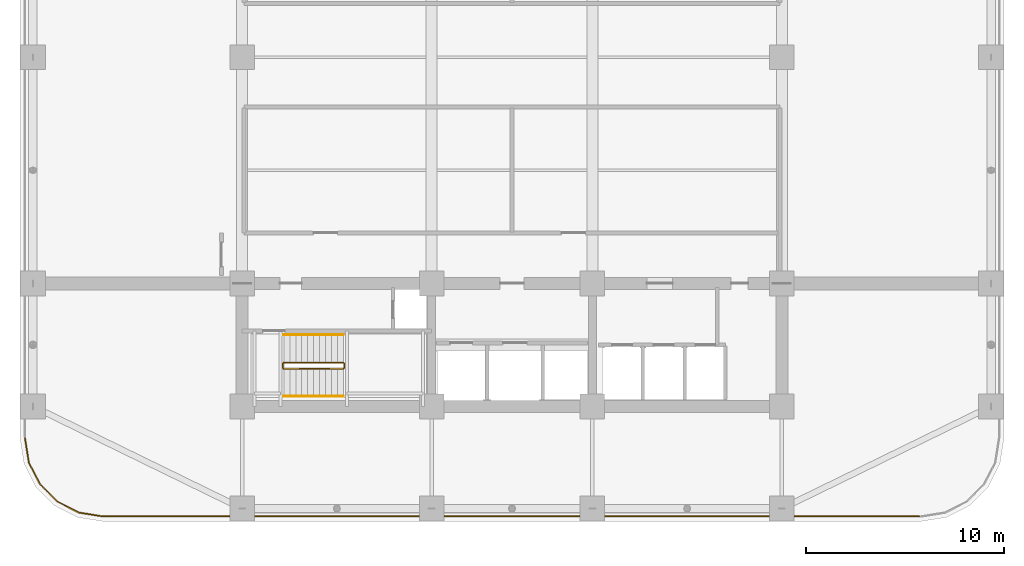
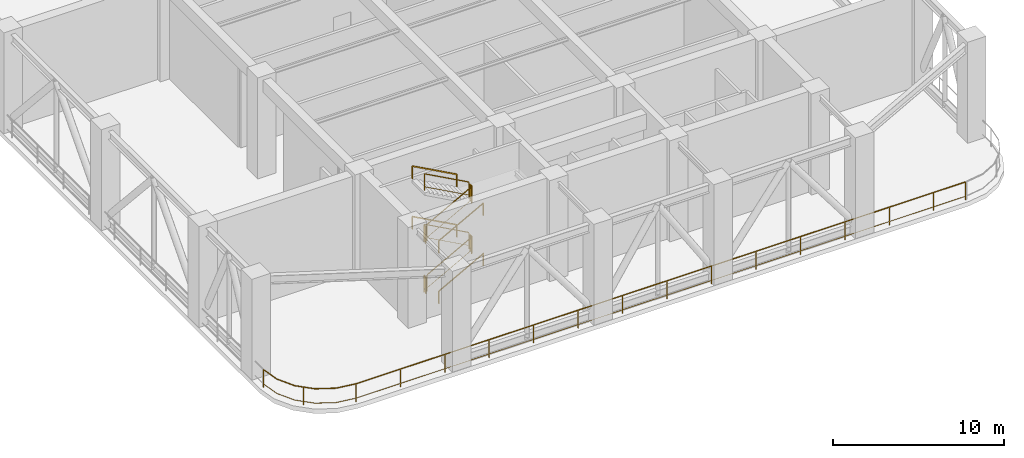
# One storey, part 18 of 20: 13 railings.
"""IFC4 building model written with IfcOpenShell, lengths in metres."""

from ifc_helpers import new_model, si_unit, direction, frame, origin, origin_2d, place, context, subcontext, project, spatial, rectangle, extrude, material, type_object, element, save


model = new_model("IFC4")

# Units and contexts
model_context = context("Model", 3, precision=1e-05, world=origin(), true_north=direction((0.0, 1.0)))
body_context = subcontext(model_context, "Body", "Model", "MODEL_VIEW")
ifc_project = project(units=[si_unit("LENGTHUNIT", "METRE"), si_unit("AREAUNIT", "SQUARE_METRE"), si_unit("VOLUMEUNIT", "CUBIC_METRE"), si_unit("PLANEANGLEUNIT", "RADIAN"), si_unit("MASSUNIT", "GRAM", prefix="KILO")], contexts=[model_context])

# Site, building, storey
site_placement = place(None, origin())
site = spatial("IfcSite", under=ifc_project, at=site_placement, CompositionType="ELEMENT")
building_placement = place(site_placement, origin())
building = spatial("IfcBuilding", under=site, at=building_placement, Name="Svetorya Sky Lyceum", CompositionType="ELEMENT")
storey_placement = place(building_placement, frame((0.0, 0.0, 76.89990234375)))
storey = spatial("IfcBuildingStorey", under=building, at=storey_placement, Name="L19", CompositionType="ELEMENT", Elevation=76.89990234375)

# Railings
ifc_material_1 = material(Name="Hot-dip galvanized wind-portal guard")
railing_type_1 = type_object("IfcRailingType", Name="RL-PRT-1300", PredefinedType="GUARDRAIL", material=ifc_material_1)
railing_1_placement = place(storey_placement, frame((14.64990234375, 9.0, 0.0)))
element("IfcRailing", 1, at=railing_1_placement, inside=storey, type_object=railing_type_1, Name="L19 Wind-Portal Deck Guard Quadrant 1", PredefinedType="GUARDRAIL", context=body_context, shape_type="SweptSolid", body=[
    extrude(rectangle(XDim=0.048095703125, YDim=0.048095703125, at=origin_2d()), frame((0.0, 0.0, 1.27587890625), z_axis=(0.156449457012, -0.987685965983, 0.0), x_axis=(0.987685965983, 0.156449457012, 0.0)), (0.0, 0.0, 1.0), 1.23583984375),
    extrude(rectangle(XDim=0.02392578125, YDim=0.02392578125, at=origin_2d()), frame((0.0, 0.0, 0.25), z_axis=(0.156449457012, -0.987685965983, 0.0), x_axis=(0.987685965983, 0.156449457012, 0.0)), (0.0, 0.0, 1.0), 1.23583984375),
    extrude(rectangle(XDim=0.048095703125, YDim=0.048095703125, at=origin_2d()), frame((0.193359375, -1.220703125, 1.27587890625), z_axis=(0.453996808381, -0.891003309747, 0.0), x_axis=(0.891003309747, 0.453996808381, 0.0)), (0.0, 0.0, 1.0), 1.23583984375),
    extrude(rectangle(XDim=0.02392578125, YDim=0.02392578125, at=origin_2d()), frame((0.193359375, -1.220703125, 0.25), z_axis=(0.453996808381, -0.891003309747, 0.0), x_axis=(0.891003309747, 0.453996808381, 0.0)), (0.0, 0.0, 1.0), 1.23583984375),
    extrude(rectangle(XDim=0.048095703125, YDim=0.048095703125, at=origin_2d()), frame((0.75439453125, -2.32177734375, 1.27587890625), z_axis=(0.707205546012, -0.707008002564, 0.0), x_axis=(0.707008002564, 0.707205546012, 0.0)), (0.0, 0.0, 1.0), 1.23583984375),
    extrude(rectangle(XDim=0.02392578125, YDim=0.02392578125, at=origin_2d()), frame((0.75439453125, -2.32177734375, 0.25), z_axis=(0.707205546012, -0.707008002564, 0.0), x_axis=(0.707008002564, 0.707205546012, 0.0)), (0.0, 0.0, 1.0), 1.23583984375),
    extrude(rectangle(XDim=0.048095703125, YDim=0.048095703125, at=origin_2d()), frame((1.62841796875, -3.195556640625, 1.27587890625), z_axis=(0.891003309747, -0.453996808381, 0.0), x_axis=(0.453996808381, 0.891003309747, 0.0)), (0.0, 0.0, 1.0), 1.23583984375),
    extrude(rectangle(XDim=0.02392578125, YDim=0.02392578125, at=origin_2d()), frame((1.62841796875, -3.195556640625, 0.25), z_axis=(0.891003309747, -0.453996808381, 0.0), x_axis=(0.453996808381, 0.891003309747, 0.0)), (0.0, 0.0, 1.0), 1.23583984375),
    extrude(rectangle(XDim=0.048095703125, YDim=0.048095703125, at=origin_2d()), frame((2.7294921875, -3.756591796875, 1.27587890625), z_axis=(0.987685965983, -0.156449457012, 0.0), x_axis=(0.156449457012, 0.987685965983, 0.0)), (0.0, 0.0, 1.0), 1.23583984375),
    extrude(rectangle(XDim=0.02392578125, YDim=0.02392578125, at=origin_2d()), frame((2.7294921875, -3.756591796875, 0.25), z_axis=(0.987685965983, -0.156449457012, 0.0), x_axis=(0.156449457012, 0.987685965983, 0.0)), (0.0, 0.0, 1.0), 1.23583984375),
    extrude(rectangle(XDim=0.048095703125, YDim=0.048095703125, at=origin_2d()), frame((3.9501953125, -3.949951171875, 1.27587890625), z_axis=(1.0, 0.0, 0.0), x_axis=(0.0, 1.0, 0.0)), (0.0, 0.0, 1.0), 41.139892578125),
    extrude(rectangle(XDim=0.02392578125, YDim=0.02392578125, at=origin_2d()), frame((3.9501953125, -3.949951171875, 0.25), z_axis=(1.0, 0.0, 0.0), x_axis=(0.0, 1.0, 0.0)), (0.0, 0.0, 1.0), 41.139892578125),
    extrude(rectangle(XDim=0.0419921875, YDim=0.0419921875, at=origin_2d()), origin(), (0.0, 0.0, 1.0), 1.251953125),
    extrude(rectangle(XDim=0.0419921875, YDim=0.0419921875, at=origin_2d()), frame((1.1279296875, -2.6953125, 0.0)), (0.0, 0.0, 1.0), 1.251953125),
    extrude(rectangle(XDim=0.0419921875, YDim=0.0419921875, at=origin_2d()), frame((3.9501953125, -3.949951171875, 0.0)), (0.0, 0.0, 1.0), 1.251953125),
    extrude(rectangle(XDim=0.0419921875, YDim=0.0419921875, at=origin_2d()), frame((6.9501953125, -3.949951171875, 0.0)), (0.0, 0.0, 1.0), 1.251953125),
    extrude(rectangle(XDim=0.0419921875, YDim=0.0419921875, at=origin_2d()), frame((9.9501953125, -3.949951171875, 0.0)), (0.0, 0.0, 1.0), 1.251953125),
    extrude(rectangle(XDim=0.0419921875, YDim=0.0419921875, at=origin_2d()), frame((12.9501953125, -3.949951171875, 0.0)), (0.0, 0.0, 1.0), 1.251953125),
    extrude(rectangle(XDim=0.0419921875, YDim=0.0419921875, at=origin_2d()), frame((15.9501953125, -3.949951171875, 0.0)), (0.0, 0.0, 1.0), 1.251953125),
    extrude(rectangle(XDim=0.0419921875, YDim=0.0419921875, at=origin_2d()), frame((18.9501953125, -3.949951171875, 0.0)), (0.0, 0.0, 1.0), 1.251953125),
    extrude(rectangle(XDim=0.0419921875, YDim=0.0419921875, at=origin_2d()), frame((21.9501953125, -3.949951171875, 0.0)), (0.0, 0.0, 1.0), 1.251953125),
    extrude(rectangle(XDim=0.0419921875, YDim=0.0419921875, at=origin_2d()), frame((24.9501953125, -3.949951171875, 0.0)), (0.0, 0.0, 1.0), 1.251953125),
    extrude(rectangle(XDim=0.0419921875, YDim=0.0419921875, at=origin_2d()), frame((27.9501953125, -3.949951171875, 0.0)), (0.0, 0.0, 1.0), 1.251953125),
    extrude(rectangle(XDim=0.0419921875, YDim=0.0419921875, at=origin_2d()), frame((30.9501953125, -3.949951171875, 0.0)), (0.0, 0.0, 1.0), 1.251953125),
    extrude(rectangle(XDim=0.0419921875, YDim=0.0419921875, at=origin_2d()), frame((33.9501953125, -3.949951171875, 0.0)), (0.0, 0.0, 1.0), 1.251953125),
    extrude(rectangle(XDim=0.0419921875, YDim=0.0419921875, at=origin_2d()), frame((36.9501953125, -3.949951171875, 0.0)), (0.0, 0.0, 1.0), 1.251953125),
    extrude(rectangle(XDim=0.0419921875, YDim=0.0419921875, at=origin_2d()), frame((39.9501953125, -3.949951171875, 0.0)), (0.0, 0.0, 1.0), 1.251953125),
    extrude(rectangle(XDim=0.0419921875, YDim=0.0419921875, at=origin_2d()), frame((42.9501953125, -3.949951171875, 0.0)), (0.0, 0.0, 1.0), 1.251953125),
    extrude(rectangle(XDim=0.0419921875, YDim=0.0419921875, at=origin_2d()), frame((45.090087890625, -3.949951171875, 0.0)), (0.0, 0.0, 1.0), 1.251953125),
])
ifc_material_2 = material(Name="Painted galvanized stair well guard")
railing_type_2 = type_object("IfcRailingType", Name="RL-STR-GUARD-1200", PredefinedType="GUARDRAIL", material=ifc_material_2)
railing_2_placement = place(storey_placement, frame((27.699951171875, 12.5, 0.163818359375)))
element("IfcRailing", 2, at=railing_2_placement, inside=storey, type_object=railing_type_2, Name="L19 ST-S stair guard 1", PredefinedType="GUARDRAIL", context=body_context, shape_type="SweptSolid", body=[
    extrude(rectangle(XDim=0.048095703125, YDim=0.048095703125, at=origin_2d()), frame((0.0, 0.0, 1.17578125), z_axis=(0.877911954615, 0.0, 0.47882209634), x_axis=(0.0, 1.0, 0.0)), (0.0, 0.0, 1.0), 3.417236328125),
    extrude(rectangle(XDim=0.02392578125, YDim=0.02392578125, at=origin_2d()), frame((0.0, 0.0, 0.25), z_axis=(0.877911954615, 0.0, 0.47882209634), x_axis=(0.0, 1.0, 0.0)), (0.0, 0.0, 1.0), 3.417236328125),
    extrude(rectangle(XDim=0.0419921875, YDim=0.0419921875, at=origin_2d()), origin(), (0.0, 0.0, 1.0), 1.15185546875),
    extrude(rectangle(XDim=0.0419921875, YDim=0.0419921875, at=origin_2d()), frame((3.0, 0.0, 1.63623046875)), (0.0, 0.0, 1.0), 1.15185546875),
])
railing_3_placement = place(storey_placement, frame((30.75, 12.550048828125, 1.800048828125)))
element("IfcRailing", 3, at=railing_3_placement, inside=storey, type_object=railing_type_2, Name="L19 ST-S stair guard 2", PredefinedType="GUARDRAIL", context=body_context, shape_type="SweptSolid", body=[
    extrude(rectangle(XDim=0.048095703125, YDim=0.048095703125, at=origin_2d()), frame((0.0, 0.0, 1.17578125), z_axis=(0.0, 1.0, 0.0), x_axis=(-1.0, 0.0, 0.0)), (0.0, 0.0, 1.0), 0.199951171875),
    extrude(rectangle(XDim=0.02392578125, YDim=0.02392578125, at=origin_2d()), frame((0.0, 0.0, 0.25), z_axis=(0.0, 1.0, 0.0), x_axis=(-1.0, 0.0, 0.0)), (0.0, 0.0, 1.0), 0.199951171875),
    extrude(rectangle(XDim=0.0419921875, YDim=0.0419921875, at=origin_2d()), origin(), (0.0, 0.0, 1.0), 1.15185546875),
    extrude(rectangle(XDim=0.0419921875, YDim=0.0419921875, at=origin_2d()), frame((0.0, 0.199951171875, 0.0)), (0.0, 0.0, 1.0), 1.15185546875),
])
railing_4_placement = place(storey_placement, frame((30.699951171875, 12.800048828125, 1.963623046875)))
element("IfcRailing", 4, at=railing_4_placement, inside=storey, type_object=railing_type_2, Name="L19 ST-S stair guard 3", PredefinedType="GUARDRAIL", context=body_context, shape_type="SweptSolid", body=[
    extrude(rectangle(XDim=0.048095703125, YDim=0.048095703125, at=origin_2d()), frame((0.0, 0.0, 1.17578125), z_axis=(-0.877881921179, 0.0, 0.478877158013), x_axis=(0.0, -1.0, 0.0)), (0.0, 0.0, 1.0), 3.417236328125),
    extrude(rectangle(XDim=0.02392578125, YDim=0.02392578125, at=origin_2d()), frame((0.0, 0.0, 0.25), z_axis=(-0.877881921179, 0.0, 0.478877158013), x_axis=(0.0, -1.0, 0.0)), (0.0, 0.0, 1.0), 3.417236328125),
    extrude(rectangle(XDim=0.0419921875, YDim=0.0419921875, at=origin_2d()), origin(), (0.0, 0.0, 1.0), 1.15185546875),
    extrude(rectangle(XDim=0.0419921875, YDim=0.0419921875, at=origin_2d()), frame((-3.0, 0.0, 1.636474609375)), (0.0, 0.0, 1.0), 1.15185546875),
])
railing_5_placement = place(storey_placement, frame((27.64990234375, 12.550048828125, 3.60009765625)))
element("IfcRailing", 5, at=railing_5_placement, inside=storey, type_object=railing_type_2, Name="L19 ST-S stair guard 4", PredefinedType="GUARDRAIL", context=body_context, shape_type="SweptSolid", body=[
    extrude(rectangle(XDim=0.048095703125, YDim=0.048095703125, at=origin_2d()), frame((0.0, 0.0, 1.17578125), z_axis=(0.0, 1.0, 0.0), x_axis=(-1.0, 0.0, 0.0)), (0.0, 0.0, 1.0), 0.199951171875),
    extrude(rectangle(XDim=0.02392578125, YDim=0.02392578125, at=origin_2d()), frame((0.0, 0.0, 0.25), z_axis=(0.0, 1.0, 0.0), x_axis=(-1.0, 0.0, 0.0)), (0.0, 0.0, 1.0), 0.199951171875),
    extrude(rectangle(XDim=0.0419921875, YDim=0.0419921875, at=origin_2d()), origin(), (0.0, 0.0, 1.0), 1.15185546875),
    extrude(rectangle(XDim=0.0419921875, YDim=0.0419921875, at=origin_2d()), frame((0.0, 0.199951171875, 0.0)), (0.0, 0.0, 1.0), 1.15185546875),
])
railing_6_placement = place(storey_placement, frame((27.699951171875, 12.5, 3.763671875)))
element("IfcRailing", 6, at=railing_6_placement, inside=storey, type_object=railing_type_2, Name="L19 ST-S stair guard 5", PredefinedType="GUARDRAIL", context=body_context, shape_type="SweptSolid", body=[
    extrude(rectangle(XDim=0.048095703125, YDim=0.048095703125, at=origin_2d()), frame((0.0, 0.0, 1.17578125), z_axis=(0.877881921179, 0.0, 0.478877158013), x_axis=(0.0, 1.0, 0.0)), (0.0, 0.0, 1.0), 3.417236328125),
    extrude(rectangle(XDim=0.02392578125, YDim=0.02392578125, at=origin_2d()), frame((0.0, 0.0, 0.25), z_axis=(0.877881921179, 0.0, 0.478877158013), x_axis=(0.0, 1.0, 0.0)), (0.0, 0.0, 1.0), 3.417236328125),
    extrude(rectangle(XDim=0.0419921875, YDim=0.0419921875, at=origin_2d()), origin(), (0.0, 0.0, 1.0), 1.15185546875),
    extrude(rectangle(XDim=0.0419921875, YDim=0.0419921875, at=origin_2d()), frame((3.0, 0.0, 1.636474609375)), (0.0, 0.0, 1.0), 1.15185546875),
])
railing_7_placement = place(storey_placement, frame((30.75, 12.550048828125, 5.400146484375)))
element("IfcRailing", 7, at=railing_7_placement, inside=storey, type_object=railing_type_2, Name="L19 ST-S stair guard 6", PredefinedType="GUARDRAIL", context=body_context, shape_type="SweptSolid", body=[
    extrude(rectangle(XDim=0.048095703125, YDim=0.048095703125, at=origin_2d()), frame((0.0, 0.0, 1.17578125), z_axis=(0.0, 1.0, 0.0), x_axis=(-1.0, 0.0, 0.0)), (0.0, 0.0, 1.0), 0.199951171875),
    extrude(rectangle(XDim=0.02392578125, YDim=0.02392578125, at=origin_2d()), frame((0.0, 0.0, 0.25), z_axis=(0.0, 1.0, 0.0), x_axis=(-1.0, 0.0, 0.0)), (0.0, 0.0, 1.0), 0.199951171875),
    extrude(rectangle(XDim=0.0419921875, YDim=0.0419921875, at=origin_2d()), origin(), (0.0, 0.0, 1.0), 1.15185546875),
    extrude(rectangle(XDim=0.0419921875, YDim=0.0419921875, at=origin_2d()), frame((0.0, 0.199951171875, 0.0)), (0.0, 0.0, 1.0), 1.15185546875),
])
railing_8_placement = place(storey_placement, frame((30.699951171875, 12.800048828125, 5.563720703125)))
element("IfcRailing", 8, at=railing_8_placement, inside=storey, type_object=railing_type_2, Name="L19 ST-S stair guard 7", PredefinedType="GUARDRAIL", context=body_context, shape_type="SweptSolid", body=[
    extrude(rectangle(XDim=0.048095703125, YDim=0.048095703125, at=origin_2d()), frame((0.0, 0.0, 1.17578125), z_axis=(-0.877881921179, 0.0, 0.478877158013), x_axis=(0.0, -1.0, 0.0)), (0.0, 0.0, 1.0), 3.417236328125),
    extrude(rectangle(XDim=0.02392578125, YDim=0.02392578125, at=origin_2d()), frame((0.0, 0.0, 0.25), z_axis=(-0.877881921179, 0.0, 0.478877158013), x_axis=(0.0, -1.0, 0.0)), (0.0, 0.0, 1.0), 3.417236328125),
    extrude(rectangle(XDim=0.0419921875, YDim=0.0419921875, at=origin_2d()), origin(), (0.0, 0.0, 1.0), 1.15185546875),
    extrude(rectangle(XDim=0.0419921875, YDim=0.0419921875, at=origin_2d()), frame((-3.0, 0.0, 1.636474609375)), (0.0, 0.0, 1.0), 1.15185546875),
])
railing_9_placement = place(storey_placement, frame((27.64990234375, 12.550048828125, 0.0)))
element("IfcRailing", 9, at=railing_9_placement, inside=storey, type_object=railing_type_2, Name="L19 ST-S stair guard 8", PredefinedType="GUARDRAIL", context=body_context, shape_type="SweptSolid", body=[
    extrude(rectangle(XDim=0.048095703125, YDim=0.048095703125, at=origin_2d()), frame((0.0, 0.0, 1.17578125), z_axis=(0.0, 1.0, 0.0), x_axis=(-1.0, 0.0, 0.0)), (0.0, 0.0, 1.0), 0.199951171875),
    extrude(rectangle(XDim=0.02392578125, YDim=0.02392578125, at=origin_2d()), frame((0.0, 0.0, 0.25), z_axis=(0.0, 1.0, 0.0), x_axis=(-1.0, 0.0, 0.0)), (0.0, 0.0, 1.0), 0.199951171875),
    extrude(rectangle(XDim=0.0419921875, YDim=0.0419921875, at=origin_2d()), origin(), (0.0, 0.0, 1.0), 1.15185546875),
    extrude(rectangle(XDim=0.0419921875, YDim=0.0419921875, at=origin_2d()), frame((0.0, 0.199951171875, 0.0)), (0.0, 0.0, 1.0), 1.15185546875),
])
ifc_material_3 = material(Name="Brushed stainless AISI 304 stair handrail")
railing_type_3 = type_object("IfcRailingType", Name="RL-STR-HAND-920", PredefinedType="HANDRAIL", material=ifc_material_3)
railing_10_placement = place(storey_placement, frame((27.699951171875, 11.10009765625, 0.163818359375)))
element("IfcRailing", 10, at=railing_10_placement, inside=storey, type_object=railing_type_3, Name="L19 ST-S stair handrail 1", PredefinedType="HANDRAIL", context=body_context, shape_type="SweptSolid", body=[
    extrude(rectangle(XDim=0.048095703125, YDim=0.048095703125, at=origin_2d()), frame((0.0, 0.0, 0.8759765625), z_axis=(0.877911954615, 0.0, 0.47882209634), x_axis=(0.0, 1.0, 0.0)), (0.0, 0.0, 1.0), 3.417236328125),
    extrude(rectangle(XDim=0.0419921875, YDim=0.0419921875, at=origin_2d()), origin(), (0.0, 0.0, 1.0), 0.851806640625),
    extrude(rectangle(XDim=0.0419921875, YDim=0.0419921875, at=origin_2d()), frame((3.0, 0.0, 1.63623046875)), (0.0, 0.0, 1.0), 0.851806640625),
])
railing_11_placement = place(storey_placement, frame((30.699951171875, 14.199951171875, 1.963623046875)))
element("IfcRailing", 11, at=railing_11_placement, inside=storey, type_object=railing_type_3, Name="L19 ST-S stair handrail 2", PredefinedType="HANDRAIL", context=body_context, shape_type="SweptSolid", body=[
    extrude(rectangle(XDim=0.048095703125, YDim=0.048095703125, at=origin_2d()), frame((0.0, 0.0, 0.8759765625), z_axis=(-0.877881921179, 0.0, 0.478877158013), x_axis=(0.0, -1.0, 0.0)), (0.0, 0.0, 1.0), 3.417236328125),
    extrude(rectangle(XDim=0.0419921875, YDim=0.0419921875, at=origin_2d()), origin(), (0.0, 0.0, 1.0), 0.851806640625),
    extrude(rectangle(XDim=0.0419921875, YDim=0.0419921875, at=origin_2d()), frame((-3.0, 0.0, 1.636474609375)), (0.0, 0.0, 1.0), 0.851806640625),
])
railing_12_placement = place(storey_placement, frame((27.699951171875, 11.10009765625, 3.763671875)))
element("IfcRailing", 12, at=railing_12_placement, inside=storey, type_object=railing_type_3, Name="L19 ST-S stair handrail 3", PredefinedType="HANDRAIL", context=body_context, shape_type="SweptSolid", body=[
    extrude(rectangle(XDim=0.048095703125, YDim=0.048095703125, at=origin_2d()), frame((0.0, 0.0, 0.8759765625), z_axis=(0.877881921179, 0.0, 0.478877158013), x_axis=(0.0, 1.0, 0.0)), (0.0, 0.0, 1.0), 3.417236328125),
    extrude(rectangle(XDim=0.0419921875, YDim=0.0419921875, at=origin_2d()), origin(), (0.0, 0.0, 1.0), 0.851806640625),
    extrude(rectangle(XDim=0.0419921875, YDim=0.0419921875, at=origin_2d()), frame((3.0, 0.0, 1.636474609375)), (0.0, 0.0, 1.0), 0.851806640625),
])
railing_13_placement = place(storey_placement, frame((30.699951171875, 14.199951171875, 5.563720703125)))
element("IfcRailing", 13, at=railing_13_placement, inside=storey, type_object=railing_type_3, Name="L19 ST-S stair handrail 4", PredefinedType="HANDRAIL", context=body_context, shape_type="SweptSolid", body=[
    extrude(rectangle(XDim=0.048095703125, YDim=0.048095703125, at=origin_2d()), frame((0.0, 0.0, 0.8759765625), z_axis=(-0.877881921179, 0.0, 0.478877158013), x_axis=(0.0, -1.0, 0.0)), (0.0, 0.0, 1.0), 3.417236328125),
    extrude(rectangle(XDim=0.0419921875, YDim=0.0419921875, at=origin_2d()), origin(), (0.0, 0.0, 1.0), 0.851806640625),
    extrude(rectangle(XDim=0.0419921875, YDim=0.0419921875, at=origin_2d()), frame((-3.0, 0.0, 1.636474609375)), (0.0, 0.0, 1.0), 0.851806640625),
])

save(model, "model.ifc")
